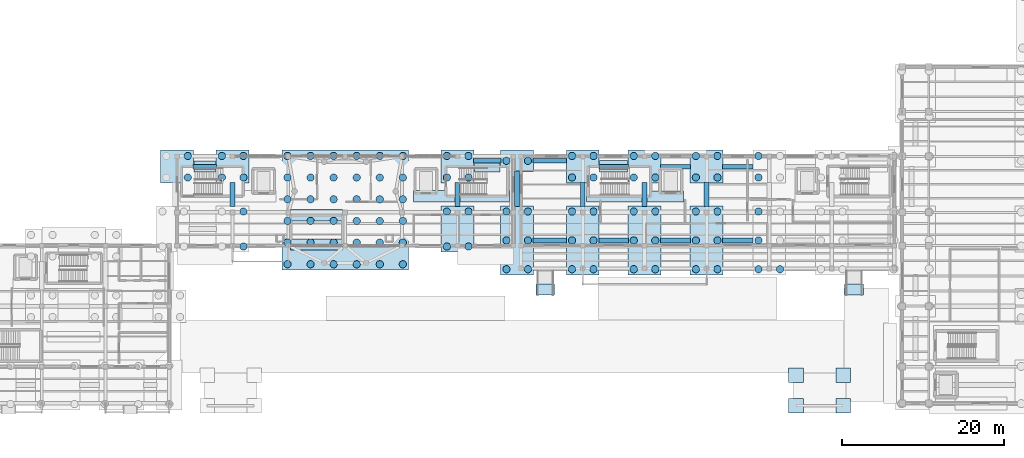
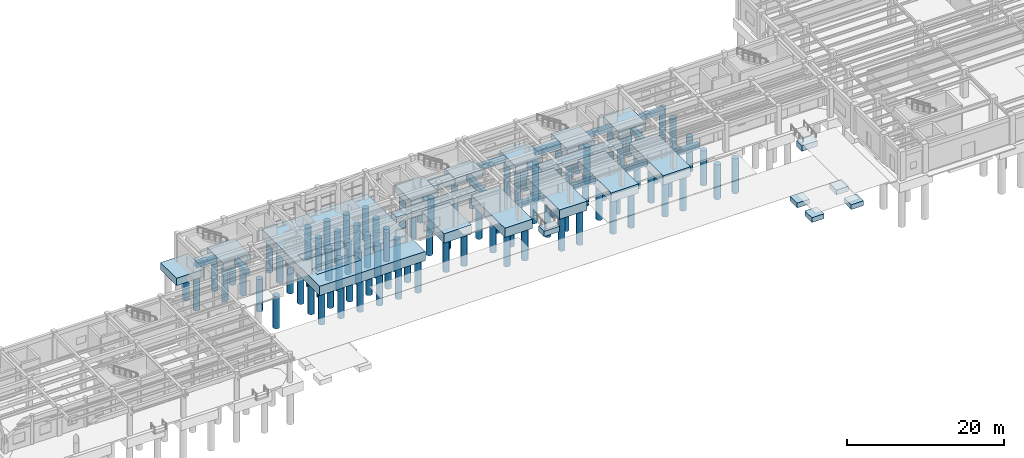
# One storey, part 2 of 41: 96 piles, 42 footings.
"""IFC4 building model written with IfcOpenShell, lengths in metres."""

from ifc_helpers import new_model, si_unit, direction, frame, origin, origin_2d, place, context, subcontext, project, spatial, rectangle, circle, extrude, material, material_profile, profile_set, type_object, element, save


model = new_model("IFC4")

# Units and contexts
model_context = context("Model", 3, precision=1e-05, world=origin(), true_north=direction((0.0, 1.0)))
body_context = subcontext(model_context, "Body", "Model", "MODEL_VIEW")
ifc_project = project(units=[si_unit("LENGTHUNIT", "METRE"), si_unit("AREAUNIT", "SQUARE_METRE"), si_unit("VOLUMEUNIT", "CUBIC_METRE"), si_unit("PLANEANGLEUNIT", "RADIAN"), si_unit("MASSUNIT", "GRAM", prefix="KILO")], contexts=[model_context])

# Site, building, storey
site_placement = place(None, origin())
site = spatial("IfcSite", under=ifc_project, at=site_placement, CompositionType="ELEMENT")
building_placement = place(site_placement, origin())
building = spatial("IfcBuilding", under=site, at=building_placement, Name="Candilejo Ridge Gondola Terminal", CompositionType="ELEMENT")
storey_placement = place(building_placement, origin())
storey = spatial("IfcBuildingStorey", under=building, at=storey_placement, Name="L00", CompositionType="ELEMENT", Elevation=0.0)

# Piles
ifc_material_1 = material(Name="Concrete f'c 28 MPa (C28/35)", Category="concrete")
ifc_material_profile = material_profile(ifc_material_1, circle(Radius=0.449951171875, at=origin_2d()))
ifc_profile_set = profile_set([ifc_material_profile], Name="Concrete f'c 28 MPa (C28/35)")
pile_type = type_object("IfcPileType", Name="STR-BORED-PILE-D900", PredefinedType="BORED", material=ifc_profile_set)
for number, where, z_axis, x_axis, name in (
    (1, (45.97509765625, 34.10009765625, -1.050048828125), (0.0, 0.0, -1.0), (1.0, 0.0, 0.0), "Bored pile L00-073"),
    (2, (45.97509765625, 36.75, -1.050048828125), (0.0, 0.0, -1.0), (1.0, 0.0, 0.0), "Bored pile L00-074"),
):
    element("IfcPile", number, at=place(storey_placement, frame(where, z_axis=z_axis, x_axis=x_axis)), inside=storey, type_object=pile_type, Name=name, PredefinedType="BORED", context=body_context, shape_type="SweptSolid", body=[
        extrude(circle(Radius=0.449951171875, at=origin_2d()), origin(), (0.0, 0.0, 1.0), 5.35009765625),
    ])
for number, where, z_axis, x_axis, name in (
    (3, (52.824951171875, 25.60009765625, -1.35009765625), (0.0, 0.0, -1.0), (1.0, 0.0, 0.0), "Bored pile L00-077"),
    (4, (52.824951171875, 29.89990234375, -1.35009765625), (0.0, 0.0, -1.0), (1.0, 0.0, 0.0), "Bored pile L00-078"),
):
    element("IfcPile", number, at=place(storey_placement, frame(where, z_axis=z_axis, x_axis=x_axis)), inside=storey, type_object=pile_type, Name=name, PredefinedType="BORED", context=body_context, shape_type="SweptSolid", body=[
        extrude(circle(Radius=0.449951171875, at=origin_2d()), origin(), (0.0, 0.0, 1.0), 5.050048828125),
    ])
for number, where, z_axis, x_axis, name in (
    (5, (50.175048828125, 34.10009765625, -1.050048828125), (0.0, 0.0, -1.0), (1.0, 0.0, 0.0), "Bored pile L00-079"),
    (6, (50.175048828125, 36.75, -1.050048828125), (0.0, 0.0, -1.0), (1.0, 0.0, 0.0), "Bored pile L00-080"),
    (7, (52.824951171875, 34.10009765625, -1.050048828125), (0.0, 0.0, -1.0), (1.0, 0.0, 0.0), "Bored pile L00-081"),
    (8, (52.824951171875, 36.75, -1.050048828125), (0.0, 0.0, -1.0), (1.0, 0.0, 0.0), "Bored pile L00-082"),
):
    element("IfcPile", number, at=place(storey_placement, frame(where, z_axis=z_axis, x_axis=x_axis)), inside=storey, type_object=pile_type, Name=name, PredefinedType="BORED", context=body_context, shape_type="SweptSolid", body=[
        extrude(circle(Radius=0.449951171875, at=origin_2d()), origin(), (0.0, 0.0, 1.0), 5.35009765625),
    ])
for number, where, z_axis, x_axis, name in (
    (9, (58.25, 23.409912109375, -1.35009765625), (0.0, 0.0, -1.0), (1.0, 0.0, 0.0), "Bored pile L00-083"),
    (10, (58.25, 26.077880859375, -1.35009765625), (0.0, 0.0, -1.0), (1.0, 0.0, 0.0), "Bored pile L00-084"),
    (11, (58.25, 28.74609375, -1.35009765625), (0.0, 0.0, -1.0), (1.0, 0.0, 0.0), "Bored pile L00-085"),
    (12, (58.25, 31.4140625, -1.35009765625), (0.0, 0.0, -1.0), (1.0, 0.0, 0.0), "Bored pile L00-086"),
    (13, (58.25, 34.08203125, -1.35009765625), (0.0, 0.0, -1.0), (1.0, 0.0, 0.0), "Bored pile L00-087"),
    (14, (58.25, 36.75, -1.35009765625), (0.0, 0.0, -1.0), (1.0, 0.0, 0.0), "Bored pile L00-088"),
    (15, (61.090087890625, 23.409912109375, -1.35009765625), (0.0, 0.0, -1.0), (1.0, 0.0, 0.0), "Bored pile L00-089"),
    (16, (61.090087890625, 26.077880859375, -1.35009765625), (0.0, 0.0, -1.0), (1.0, 0.0, 0.0), "Bored pile L00-090"),
    (17, (61.090087890625, 28.74609375, -1.35009765625), (0.0, 0.0, -1.0), (1.0, 0.0, 0.0), "Bored pile L00-091"),
    (18, (61.090087890625, 31.4140625, -1.35009765625), (0.0, 0.0, -1.0), (1.0, 0.0, 0.0), "Bored pile L00-092"),
    (19, (61.090087890625, 34.08203125, -1.35009765625), (0.0, 0.0, -1.0), (1.0, 0.0, 0.0), "Bored pile L00-093"),
    (20, (61.090087890625, 36.75, -1.35009765625), (0.0, 0.0, -1.0), (1.0, 0.0, 0.0), "Bored pile L00-094"),
    (21, (63.929931640625, 23.409912109375, -1.35009765625), (0.0, 0.0, -1.0), (1.0, 0.0, 0.0), "Bored pile L00-095"),
    (22, (63.929931640625, 26.077880859375, -1.35009765625), (0.0, 0.0, -1.0), (1.0, 0.0, 0.0), "Bored pile L00-096"),
    (23, (63.929931640625, 28.74609375, -1.35009765625), (0.0, 0.0, -1.0), (1.0, 0.0, 0.0), "Bored pile L00-097"),
    (24, (63.929931640625, 31.4140625, -1.35009765625), (0.0, 0.0, -1.0), (1.0, 0.0, 0.0), "Bored pile L00-098"),
    (25, (63.929931640625, 34.08203125, -1.35009765625), (0.0, 0.0, -1.0), (1.0, 0.0, 0.0), "Bored pile L00-099"),
    (26, (63.929931640625, 36.75, -1.35009765625), (0.0, 0.0, -1.0), (1.0, 0.0, 0.0), "Bored pile L00-100"),
    (27, (66.77001953125, 23.409912109375, -1.35009765625), (0.0, 0.0, -1.0), (1.0, 0.0, 0.0), "Bored pile L00-101"),
    (28, (66.77001953125, 26.077880859375, -1.35009765625), (0.0, 0.0, -1.0), (1.0, 0.0, 0.0), "Bored pile L00-102"),
    (29, (66.77001953125, 28.74609375, -1.35009765625), (0.0, 0.0, -1.0), (1.0, 0.0, 0.0), "Bored pile L00-103"),
    (30, (66.77001953125, 31.4140625, -1.35009765625), (0.0, 0.0, -1.0), (1.0, 0.0, 0.0), "Bored pile L00-104"),
    (31, (66.77001953125, 34.08203125, -1.35009765625), (0.0, 0.0, -1.0), (1.0, 0.0, 0.0), "Bored pile L00-105"),
    (32, (66.77001953125, 36.75, -1.35009765625), (0.0, 0.0, -1.0), (1.0, 0.0, 0.0), "Bored pile L00-106"),
    (33, (69.610107421875, 23.409912109375, -1.35009765625), (0.0, 0.0, -1.0), (1.0, 0.0, 0.0), "Bored pile L00-107"),
    (34, (69.610107421875, 26.077880859375, -1.35009765625), (0.0, 0.0, -1.0), (1.0, 0.0, 0.0), "Bored pile L00-108"),
    (35, (69.610107421875, 28.74609375, -1.35009765625), (0.0, 0.0, -1.0), (1.0, 0.0, 0.0), "Bored pile L00-109"),
    (36, (69.610107421875, 31.4140625, -1.35009765625), (0.0, 0.0, -1.0), (1.0, 0.0, 0.0), "Bored pile L00-110"),
    (37, (69.610107421875, 34.08203125, -1.35009765625), (0.0, 0.0, -1.0), (1.0, 0.0, 0.0), "Bored pile L00-111"),
    (38, (69.610107421875, 36.75, -1.35009765625), (0.0, 0.0, -1.0), (1.0, 0.0, 0.0), "Bored pile L00-112"),
    (39, (72.449951171875, 23.409912109375, -1.35009765625), (0.0, 0.0, -1.0), (1.0, 0.0, 0.0), "Bored pile L00-113"),
    (40, (72.449951171875, 26.077880859375, -1.35009765625), (0.0, 0.0, -1.0), (1.0, 0.0, 0.0), "Bored pile L00-114"),
    (41, (72.449951171875, 28.74609375, -1.35009765625), (0.0, 0.0, -1.0), (1.0, 0.0, 0.0), "Bored pile L00-115"),
    (42, (72.449951171875, 31.4140625, -1.35009765625), (0.0, 0.0, -1.0), (1.0, 0.0, 0.0), "Bored pile L00-116"),
    (43, (72.449951171875, 34.08203125, -1.35009765625), (0.0, 0.0, -1.0), (1.0, 0.0, 0.0), "Bored pile L00-117"),
    (44, (72.449951171875, 36.75, -1.35009765625), (0.0, 0.0, -1.0), (1.0, 0.0, 0.0), "Bored pile L00-118"),
    (45, (77.875, 25.60009765625, -1.35009765625), (0.0, 0.0, -1.0), (1.0, 0.0, 0.0), "Bored pile L00-119"),
    (46, (77.875, 29.89990234375, -1.35009765625), (0.0, 0.0, -1.0), (1.0, 0.0, 0.0), "Bored pile L00-120"),
    (47, (80.52490234375, 25.60009765625, -1.35009765625), (0.0, 0.0, -1.0), (1.0, 0.0, 0.0), "Bored pile L00-121"),
    (48, (80.52490234375, 29.89990234375, -1.35009765625), (0.0, 0.0, -1.0), (1.0, 0.0, 0.0), "Bored pile L00-122"),
):
    element("IfcPile", number, at=place(storey_placement, frame(where, z_axis=z_axis, x_axis=x_axis)), inside=storey, type_object=pile_type, Name=name, PredefinedType="BORED", context=body_context, shape_type="SweptSolid", body=[
        extrude(circle(Radius=0.449951171875, at=origin_2d()), origin(), (0.0, 0.0, 1.0), 5.050048828125),
    ])
for number, where, z_axis, x_axis, name in (
    (49, (77.875, 34.10009765625, -1.050048828125), (0.0, 0.0, -1.0), (1.0, 0.0, 0.0), "Bored pile L00-123"),
    (50, (77.875, 36.75, -1.050048828125), (0.0, 0.0, -1.0), (1.0, 0.0, 0.0), "Bored pile L00-124"),
    (51, (80.52490234375, 34.10009765625, -1.050048828125), (0.0, 0.0, -1.0), (1.0, 0.0, 0.0), "Bored pile L00-125"),
    (52, (80.52490234375, 36.75, -1.050048828125), (0.0, 0.0, -1.0), (1.0, 0.0, 0.0), "Bored pile L00-126"),
):
    element("IfcPile", number, at=place(storey_placement, frame(where, z_axis=z_axis, x_axis=x_axis)), inside=storey, type_object=pile_type, Name=name, PredefinedType="BORED", context=body_context, shape_type="SweptSolid", body=[
        extrude(circle(Radius=0.449951171875, at=origin_2d()), origin(), (0.0, 0.0, 1.0), 5.35009765625),
    ])
for number, where, z_axis, x_axis, name in (
    (53, (85.199951171875, 22.800048828125, -1.35009765625), (0.0, 0.0, -1.0), (1.0, 0.0, 0.0), "Bored pile L00-127"),
    (54, (85.199951171875, 26.35009765625, -1.35009765625), (0.0, 0.0, -1.0), (1.0, 0.0, 0.0), "Bored pile L00-128"),
    (55, (85.199951171875, 29.89990234375, -1.35009765625), (0.0, 0.0, -1.0), (1.0, 0.0, 0.0), "Bored pile L00-129"),
    (56, (87.85009765625, 22.800048828125, -1.35009765625), (0.0, 0.0, -1.0), (1.0, 0.0, 0.0), "Bored pile L00-130"),
    (57, (87.85009765625, 26.35009765625, -1.35009765625), (0.0, 0.0, -1.0), (1.0, 0.0, 0.0), "Bored pile L00-131"),
    (58, (87.85009765625, 29.89990234375, -1.35009765625), (0.0, 0.0, -1.0), (1.0, 0.0, 0.0), "Bored pile L00-132"),
):
    element("IfcPile", number, at=place(storey_placement, frame(where, z_axis=z_axis, x_axis=x_axis)), inside=storey, type_object=pile_type, Name=name, PredefinedType="BORED", context=body_context, shape_type="SweptSolid", body=[
        extrude(circle(Radius=0.449951171875, at=origin_2d()), origin(), (0.0, 0.0, 1.0), 5.050048828125),
    ])
for number, where, z_axis, x_axis, name in (
    (59, (85.199951171875, 36.14990234375, -1.050048828125), (0.0, 0.0, -1.0), (1.0, 0.0, 0.0), "Bored pile L00-133"),
    (60, (87.85009765625, 36.14990234375, -1.050048828125), (0.0, 0.0, -1.0), (1.0, 0.0, 0.0), "Bored pile L00-134"),
):
    element("IfcPile", number, at=place(storey_placement, frame(where, z_axis=z_axis, x_axis=x_axis)), inside=storey, type_object=pile_type, Name=name, PredefinedType="BORED", context=body_context, shape_type="SweptSolid", body=[
        extrude(circle(Radius=0.449951171875, at=origin_2d()), origin(), (0.0, 0.0, 1.0), 5.35009765625),
    ])
for number, where, z_axis, x_axis, name in (
    (61, (93.27490234375, 22.800048828125, -1.35009765625), (0.0, 0.0, -1.0), (1.0, 0.0, 0.0), "Bored pile L00-135"),
    (62, (93.27490234375, 26.35009765625, -1.35009765625), (0.0, 0.0, -1.0), (1.0, 0.0, 0.0), "Bored pile L00-136"),
    (63, (93.27490234375, 29.89990234375, -1.35009765625), (0.0, 0.0, -1.0), (1.0, 0.0, 0.0), "Bored pile L00-137"),
    (64, (95.925048828125, 22.800048828125, -1.35009765625), (0.0, 0.0, -1.0), (1.0, 0.0, 0.0), "Bored pile L00-138"),
    (65, (95.925048828125, 26.35009765625, -1.35009765625), (0.0, 0.0, -1.0), (1.0, 0.0, 0.0), "Bored pile L00-139"),
    (66, (95.925048828125, 29.89990234375, -1.35009765625), (0.0, 0.0, -1.0), (1.0, 0.0, 0.0), "Bored pile L00-140"),
):
    element("IfcPile", number, at=place(storey_placement, frame(where, z_axis=z_axis, x_axis=x_axis)), inside=storey, type_object=pile_type, Name=name, PredefinedType="BORED", context=body_context, shape_type="SweptSolid", body=[
        extrude(circle(Radius=0.449951171875, at=origin_2d()), origin(), (0.0, 0.0, 1.0), 5.449951171875),
    ])
for number, where, z_axis, x_axis, name in (
    (67, (93.27490234375, 34.10009765625, -1.050048828125), (0.0, 0.0, -1.0), (1.0, 0.0, 0.0), "Bored pile L00-141"),
    (68, (93.27490234375, 36.75, -1.050048828125), (0.0, 0.0, -1.0), (1.0, 0.0, 0.0), "Bored pile L00-142"),
    (69, (95.925048828125, 34.10009765625, -1.050048828125), (0.0, 0.0, -1.0), (1.0, 0.0, 0.0), "Bored pile L00-143"),
    (70, (95.925048828125, 36.75, -1.050048828125), (0.0, 0.0, -1.0), (1.0, 0.0, 0.0), "Bored pile L00-144"),
):
    element("IfcPile", number, at=place(storey_placement, frame(where, z_axis=z_axis, x_axis=x_axis)), inside=storey, type_object=pile_type, Name=name, PredefinedType="BORED", context=body_context, shape_type="SweptSolid", body=[
        extrude(circle(Radius=0.449951171875, at=origin_2d()), origin(), (0.0, 0.0, 1.0), 5.75),
    ])
for number, where, z_axis, x_axis, name in (
    (71, (100.875, 22.800048828125, -1.35009765625), (0.0, 0.0, -1.0), (1.0, 0.0, 0.0), "Bored pile L00-145"),
    (72, (100.875, 26.35009765625, -1.35009765625), (0.0, 0.0, -1.0), (1.0, 0.0, 0.0), "Bored pile L00-146"),
    (73, (100.875, 29.89990234375, -1.35009765625), (0.0, 0.0, -1.0), (1.0, 0.0, 0.0), "Bored pile L00-147"),
    (74, (103.52490234375, 22.800048828125, -1.35009765625), (0.0, 0.0, -1.0), (1.0, 0.0, 0.0), "Bored pile L00-148"),
    (75, (103.52490234375, 26.35009765625, -1.35009765625), (0.0, 0.0, -1.0), (1.0, 0.0, 0.0), "Bored pile L00-149"),
    (76, (103.52490234375, 29.89990234375, -1.35009765625), (0.0, 0.0, -1.0), (1.0, 0.0, 0.0), "Bored pile L00-150"),
):
    element("IfcPile", number, at=place(storey_placement, frame(where, z_axis=z_axis, x_axis=x_axis)), inside=storey, type_object=pile_type, Name=name, PredefinedType="BORED", context=body_context, shape_type="SweptSolid", body=[
        extrude(circle(Radius=0.449951171875, at=origin_2d()), origin(), (0.0, 0.0, 1.0), 5.449951171875),
    ])
for number, where, z_axis, x_axis, name in (
    (77, (100.875, 34.10009765625, -1.050048828125), (0.0, 0.0, -1.0), (1.0, 0.0, 0.0), "Bored pile L00-151"),
    (78, (100.875, 36.75, -1.050048828125), (0.0, 0.0, -1.0), (1.0, 0.0, 0.0), "Bored pile L00-152"),
    (79, (103.52490234375, 34.10009765625, -1.050048828125), (0.0, 0.0, -1.0), (1.0, 0.0, 0.0), "Bored pile L00-153"),
    (80, (103.52490234375, 36.75, -1.050048828125), (0.0, 0.0, -1.0), (1.0, 0.0, 0.0), "Bored pile L00-154"),
):
    element("IfcPile", number, at=place(storey_placement, frame(where, z_axis=z_axis, x_axis=x_axis)), inside=storey, type_object=pile_type, Name=name, PredefinedType="BORED", context=body_context, shape_type="SweptSolid", body=[
        extrude(circle(Radius=0.449951171875, at=origin_2d()), origin(), (0.0, 0.0, 1.0), 5.75),
    ])
for number, where, z_axis, x_axis, name in (
    (81, (108.52490234375, 22.800048828125, -1.35009765625), (0.0, 0.0, -1.0), (1.0, 0.0, 0.0), "Bored pile L00-155"),
    (82, (108.52490234375, 26.35009765625, -1.35009765625), (0.0, 0.0, -1.0), (1.0, 0.0, 0.0), "Bored pile L00-156"),
    (83, (108.52490234375, 29.89990234375, -1.35009765625), (0.0, 0.0, -1.0), (1.0, 0.0, 0.0), "Bored pile L00-157"),
    (84, (111.175048828125, 22.800048828125, -1.35009765625), (0.0, 0.0, -1.0), (1.0, 0.0, 0.0), "Bored pile L00-158"),
    (85, (111.175048828125, 26.35009765625, -1.35009765625), (0.0, 0.0, -1.0), (1.0, 0.0, 0.0), "Bored pile L00-159"),
    (86, (111.175048828125, 29.89990234375, -1.35009765625), (0.0, 0.0, -1.0), (1.0, 0.0, 0.0), "Bored pile L00-160"),
):
    element("IfcPile", number, at=place(storey_placement, frame(where, z_axis=z_axis, x_axis=x_axis)), inside=storey, type_object=pile_type, Name=name, PredefinedType="BORED", context=body_context, shape_type="SweptSolid", body=[
        extrude(circle(Radius=0.449951171875, at=origin_2d()), origin(), (0.0, 0.0, 1.0), 5.449951171875),
    ])
for number, where, z_axis, x_axis, name in (
    (87, (108.52490234375, 34.10009765625, -1.050048828125), (0.0, 0.0, -1.0), (1.0, 0.0, 0.0), "Bored pile L00-161"),
    (88, (108.52490234375, 36.75, -1.050048828125), (0.0, 0.0, -1.0), (1.0, 0.0, 0.0), "Bored pile L00-162"),
    (89, (111.175048828125, 34.10009765625, -1.050048828125), (0.0, 0.0, -1.0), (1.0, 0.0, 0.0), "Bored pile L00-163"),
    (90, (111.175048828125, 36.75, -1.050048828125), (0.0, 0.0, -1.0), (1.0, 0.0, 0.0), "Bored pile L00-164"),
):
    element("IfcPile", number, at=place(storey_placement, frame(where, z_axis=z_axis, x_axis=x_axis)), inside=storey, type_object=pile_type, Name=name, PredefinedType="BORED", context=body_context, shape_type="SweptSolid", body=[
        extrude(circle(Radius=0.449951171875, at=origin_2d()), origin(), (0.0, 0.0, 1.0), 5.75),
    ])
for number, where, z_axis, x_axis, name in (
    (91, (116.22509765625, 22.800048828125, -1.35009765625), (0.0, 0.0, -1.0), (1.0, 0.0, 0.0), "Bored pile L00-165"),
    (92, (116.22509765625, 26.35009765625, -1.35009765625), (0.0, 0.0, -1.0), (1.0, 0.0, 0.0), "Bored pile L00-166"),
    (93, (116.22509765625, 29.89990234375, -1.35009765625), (0.0, 0.0, -1.0), (1.0, 0.0, 0.0), "Bored pile L00-167"),
    (94, (118.875, 22.800048828125, -1.35009765625), (0.0, 0.0, -1.0), (1.0, 0.0, 0.0), "Bored pile L00-168"),
):
    element("IfcPile", number, at=place(storey_placement, frame(where, z_axis=z_axis, x_axis=x_axis)), inside=storey, type_object=pile_type, Name=name, PredefinedType="BORED", context=body_context, shape_type="SweptSolid", body=[
        extrude(circle(Radius=0.449951171875, at=origin_2d()), origin(), (0.0, 0.0, 1.0), 5.449951171875),
    ])
for number, where, z_axis, x_axis, name in (
    (95, (116.22509765625, 34.10009765625, -1.050048828125), (0.0, 0.0, -1.0), (1.0, 0.0, 0.0), "Bored pile L00-171"),
    (96, (116.22509765625, 36.75, -1.050048828125), (0.0, 0.0, -1.0), (1.0, 0.0, 0.0), "Bored pile L00-172"),
):
    element("IfcPile", number, at=place(storey_placement, frame(where, z_axis=z_axis, x_axis=x_axis)), inside=storey, type_object=pile_type, Name=name, PredefinedType="BORED", context=body_context, shape_type="SweptSolid", body=[
        extrude(circle(Radius=0.449951171875, at=origin_2d()), origin(), (0.0, 0.0, 1.0), 5.75),
    ])

# Footings
ifc_material_2 = material(Name="Concrete f'c 35 MPa (C35/45)", Category="concrete")
footing_type_1 = type_object("IfcFootingType", Name="STR-FOOTING-BEAM-600X800", PredefinedType="FOOTING_BEAM", material=ifc_material_2)
footing_1_placement = place(storey_placement, frame((90.5625, 26.35009765625, -0.85009765625), z_axis=(0.0, 0.0, 1.0), x_axis=(1.0, 0.0, 0.0)))
element("IfcFooting", 97, at=footing_1_placement, inside=storey, type_object=footing_type_1, Name="Foundation tie beam X L00-021", PredefinedType="FOOTING_BEAM", context=body_context, shape_type="SweptSolid", body=[
    extrude(rectangle(XDim=4.125, YDim=0.60009765625, at=origin_2d()), origin(), (0.0, 0.0, 1.0), 0.800048828125),
])
footing_2_placement = place(storey_placement, frame((98.39990234375, 26.35009765625, -0.85009765625), z_axis=(0.0, 0.0, 1.0), x_axis=(1.0, 0.0, 0.0)))
element("IfcFooting", 98, at=footing_2_placement, inside=storey, type_object=footing_type_1, Name="Foundation tie beam X L00-022", PredefinedType="FOOTING_BEAM", context=body_context, shape_type="SweptSolid", body=[
    extrude(rectangle(XDim=3.64990234375, YDim=0.60009765625, at=origin_2d()), origin(), (0.0, 0.0, 1.0), 0.800048828125),
])
footing_3_placement = place(storey_placement, frame((106.02490234375, 26.35009765625, -0.85009765625), z_axis=(0.0, 0.0, 1.0), x_axis=(1.0, 0.0, 0.0)))
element("IfcFooting", 99, at=footing_3_placement, inside=storey, type_object=footing_type_1, Name="Foundation tie beam X L00-023", PredefinedType="FOOTING_BEAM", context=body_context, shape_type="SweptSolid", body=[
    extrude(rectangle(XDim=3.699951171875, YDim=0.60009765625, at=origin_2d()), origin(), (0.0, 0.0, 1.0), 0.800048828125),
])
footing_4_placement = place(storey_placement, frame((113.699951171875, 26.35009765625, -0.85009765625), z_axis=(0.0, 0.0, 1.0), x_axis=(1.0, 0.0, 0.0)))
element("IfcFooting", 100, at=footing_4_placement, inside=storey, type_object=footing_type_1, Name="Foundation tie beam X L00-024", PredefinedType="FOOTING_BEAM", context=body_context, shape_type="SweptSolid", body=[
    extrude(rectangle(XDim=3.75, YDim=0.60009765625, at=origin_2d()), origin(), (0.0, 0.0, 1.0), 0.800048828125),
])
footing_5_placement = place(storey_placement, frame((48.074951171875, 35.425048828125, -0.85009765625), z_axis=(0.0, 0.0, 1.0), x_axis=(1.0, 0.0, 0.0)))
element("IfcFooting", 101, at=footing_5_placement, inside=storey, type_object=footing_type_1, Name="Foundation tie beam X L00-030", PredefinedType="FOOTING_BEAM", context=body_context, shape_type="SweptSolid", body=[
    extrude(rectangle(XDim=2.89990234375, YDim=0.60009765625, at=origin_2d()), origin(), (0.0, 0.0, 1.0), 0.800048828125),
])
footing_6_placement = place(storey_placement, frame((82.862548828125, 36.14990234375, -0.85009765625), z_axis=(0.0, 0.0, 1.0), x_axis=(1.0, 0.0, 0.0)))
element("IfcFooting", 102, at=footing_6_placement, inside=storey, type_object=footing_type_1, Name="Foundation tie beam X L00-031", PredefinedType="FOOTING_BEAM", context=body_context, shape_type="SweptSolid", body=[
    extrude(rectangle(XDim=3.375, YDim=0.60009765625, at=origin_2d()), origin(), (0.0, 0.0, 1.0), 0.800048828125),
])
footing_7_placement = place(storey_placement, frame((90.5625, 36.14990234375, -0.85009765625), z_axis=(0.0, 0.0, 1.0), x_axis=(1.0, 0.0, 0.0)))
element("IfcFooting", 103, at=footing_7_placement, inside=storey, type_object=footing_type_1, Name="Foundation tie beam X L00-032", PredefinedType="FOOTING_BEAM", context=body_context, shape_type="SweptSolid", body=[
    extrude(rectangle(XDim=4.125, YDim=0.60009765625, at=origin_2d()), origin(), (0.0, 0.0, 1.0), 0.800048828125),
])
footing_8_placement = place(storey_placement, frame((98.39990234375, 35.425048828125, -0.85009765625), z_axis=(0.0, 0.0, 1.0), x_axis=(1.0, 0.0, 0.0)))
element("IfcFooting", 104, at=footing_8_placement, inside=storey, type_object=footing_type_1, Name="Foundation tie beam X L00-033", PredefinedType="FOOTING_BEAM", context=body_context, shape_type="SweptSolid", body=[
    extrude(rectangle(XDim=3.64990234375, YDim=0.60009765625, at=origin_2d()), origin(), (0.0, 0.0, 1.0), 0.800048828125),
])
footing_9_placement = place(storey_placement, frame((106.02490234375, 35.425048828125, -0.85009765625), z_axis=(0.0, 0.0, 1.0), x_axis=(1.0, 0.0, 0.0)))
element("IfcFooting", 105, at=footing_9_placement, inside=storey, type_object=footing_type_1, Name="Foundation tie beam X L00-034", PredefinedType="FOOTING_BEAM", context=body_context, shape_type="SweptSolid", body=[
    extrude(rectangle(XDim=3.699951171875, YDim=0.60009765625, at=origin_2d()), origin(), (0.0, 0.0, 1.0), 0.800048828125),
])
footing_10_placement = place(storey_placement, frame((113.699951171875, 35.425048828125, -0.85009765625), z_axis=(0.0, 0.0, 1.0), x_axis=(1.0, 0.0, 0.0)))
element("IfcFooting", 106, at=footing_10_placement, inside=storey, type_object=footing_type_1, Name="Foundation tie beam X L00-035", PredefinedType="FOOTING_BEAM", context=body_context, shape_type="SweptSolid", body=[
    extrude(rectangle(XDim=3.75, YDim=0.60009765625, at=origin_2d()), origin(), (0.0, 0.0, 1.0), 0.800048828125),
])
for number, where, z_axis, x_axis, name in (
    (107, (51.5, 32.0, -0.85009765625), (0.0, 0.0, 1.0), (1.0, 0.0, 0.0), "Foundation tie beam Y L00-049"),
    (108, (79.199951171875, 32.0, -0.85009765625), (0.0, 0.0, 1.0), (1.0, 0.0, 0.0), "Foundation tie beam Y L00-050"),
):
    element("IfcFooting", number, at=place(storey_placement, frame(where, z_axis=z_axis, x_axis=x_axis)), inside=storey, type_object=footing_type_1, Name=name, PredefinedType="FOOTING_BEAM", context=body_context, shape_type="SweptSolid", body=[
        extrude(rectangle(XDim=0.60009765625, YDim=2.89990234375, at=origin_2d()), origin(), (0.0, 0.0, 1.0), 0.800048828125),
    ])
footing_11_placement = place(storey_placement, frame((86.52490234375, 32.72509765625, -0.85009765625), z_axis=(0.0, 0.0, 1.0), x_axis=(1.0, 0.0, 0.0)))
element("IfcFooting", 109, at=footing_11_placement, inside=storey, type_object=footing_type_1, Name="Foundation tie beam Y L00-051", PredefinedType="FOOTING_BEAM", context=body_context, shape_type="SweptSolid", body=[
    extrude(rectangle(XDim=0.60009765625, YDim=4.35009765625, at=origin_2d()), origin(), (0.0, 0.0, 1.0), 0.800048828125),
])
for number, where, z_axis, x_axis, name in (
    (110, (94.60009765625, 32.0, -0.85009765625), (0.0, 0.0, 1.0), (1.0, 0.0, 0.0), "Foundation tie beam Y L00-052"),
    (111, (102.199951171875, 32.0, -0.85009765625), (0.0, 0.0, 1.0), (1.0, 0.0, 0.0), "Foundation tie beam Y L00-053"),
    (112, (109.85009765625, 32.0, -0.85009765625), (0.0, 0.0, 1.0), (1.0, 0.0, 0.0), "Foundation tie beam Y L00-054"),
):
    element("IfcFooting", number, at=place(storey_placement, frame(where, z_axis=z_axis, x_axis=x_axis)), inside=storey, type_object=footing_type_1, Name=name, PredefinedType="FOOTING_BEAM", context=body_context, shape_type="SweptSolid", body=[
        extrude(rectangle(XDim=0.60009765625, YDim=2.89990234375, at=origin_2d()), origin(), (0.0, 0.0, 1.0), 0.800048828125),
    ])
ifc_material_3 = material(Name="Concrete f'c 35 MPa (C35/45)", Category="concrete")
footing_type_2 = type_object("IfcFootingType", Name="STR-PAD-FOOTING-1800X1800X750", PredefinedType="PAD_FOOTING", material=ifc_material_3)
for number, where, z_axis, x_axis, name in (
    (113, (120.85009765625, 6.0, -1.22998046875), (0.0, 0.0, 1.0), (1.0, 0.0, 0.0), "Walkway support pad footing SE-TAB-01"),
    (114, (126.64990234375, 6.0, -1.22998046875), (0.0, 0.0, 1.0), (1.0, 0.0, 0.0), "Walkway support pad footing SE-TAB-02"),
    (115, (120.85009765625, 9.75, -1.22998046875), (0.0, 0.0, 1.0), (1.0, 0.0, 0.0), "Walkway support pad footing SE-TAB-03"),
    (116, (126.64990234375, 9.75, -1.22998046875), (0.0, 0.0, 1.0), (1.0, 0.0, 0.0), "Walkway support pad footing SE-TAB-04"),
):
    element("IfcFooting", number, at=place(storey_placement, frame(where, z_axis=z_axis, x_axis=x_axis)), inside=storey, type_object=footing_type_2, Name=name, PredefinedType="PAD_FOOTING", context=body_context, shape_type="SweptSolid", body=[
        extrude(rectangle(XDim=1.800048828125, YDim=1.800048828125, at=origin_2d()), origin(), (0.0, 0.0, 1.0), 0.75),
    ])
ifc_material_4 = material(Name="Concrete f'c 35 MPa (C35/45)", Category="concrete")
footing_type_3 = type_object("IfcFootingType", Name="STR-PILE-CAP-B00-1560X1474X145", PredefinedType="PILE_CAP", material=ifc_material_4)
footing_12_placement = place(storey_placement, frame((65.35009765625, 30.080078125, -1.4501953125), z_axis=(0.0, 0.0, 1.0), x_axis=(1.0, 0.0, 0.0)))
element("IfcFooting", 117, at=footing_12_placement, inside=storey, type_object=footing_type_3, Name="Pile cap CAP-B00-022", PredefinedType="PILE_CAP", context=body_context, shape_type="SweptSolid", body=[
    extrude(rectangle(XDim=15.60009765625, YDim=14.739990234375, at=origin_2d()), origin(), (0.0, 0.0, 1.0), 1.449951171875),
])
ifc_material_5 = material(Name="Concrete f'c 35 MPa (C35/45)", Category="concrete")
footing_type_4 = type_object("IfcFootingType", Name="STR-PILE-CAP-B00-405X260X115", PredefinedType="PILE_CAP", material=ifc_material_5)
footing_13_placement = place(storey_placement, frame((86.52490234375, 36.14990234375, -1.14990234375), z_axis=(0.0, 0.0, 1.0), x_axis=(1.0, 0.0, 0.0)))
element("IfcFooting", 118, at=footing_13_placement, inside=storey, type_object=footing_type_4, Name="Pile cap CAP-B00-026", PredefinedType="PILE_CAP", context=body_context, shape_type="SweptSolid", body=[
    extrude(rectangle(XDim=4.050048828125, YDim=2.60009765625, at=origin_2d()), origin(), (0.0, 0.0, 1.0), 1.14990234375),
])
ifc_material_6 = material(Name="Concrete f'c 35 MPa (C35/45)", Category="concrete")
footing_type_5 = type_object("IfcFootingType", Name="STR-PILE-CAP-B00-405X405X115", PredefinedType="PILE_CAP", material=ifc_material_6)
for number, where, z_axis, x_axis, name in (
    (119, (44.64990234375, 35.425048828125, -1.14990234375), (0.0, 0.0, 1.0), (1.0, 0.0, 0.0), "Pile cap CAP-B00-019"),
    (120, (51.5, 35.425048828125, -1.14990234375), (0.0, 0.0, 1.0), (1.0, 0.0, 0.0), "Pile cap CAP-B00-021"),
    (121, (79.199951171875, 35.425048828125, -1.14990234375), (0.0, 0.0, 1.0), (1.0, 0.0, 0.0), "Pile cap CAP-B00-024"),
    (122, (94.60009765625, 35.425048828125, -1.14990234375), (0.0, 0.0, 1.0), (1.0, 0.0, 0.0), "Pile cap CAP-B00-028"),
    (123, (102.199951171875, 35.425048828125, -1.14990234375), (0.0, 0.0, 1.0), (1.0, 0.0, 0.0), "Pile cap CAP-B00-030"),
    (124, (109.85009765625, 35.425048828125, -1.14990234375), (0.0, 0.0, 1.0), (1.0, 0.0, 0.0), "Pile cap CAP-B00-032"),
):
    element("IfcFooting", number, at=place(storey_placement, frame(where, z_axis=z_axis, x_axis=x_axis)), inside=storey, type_object=footing_type_5, Name=name, PredefinedType="PILE_CAP", context=body_context, shape_type="SweptSolid", body=[
        extrude(rectangle(XDim=4.050048828125, YDim=4.050048828125, at=origin_2d()), origin(), (0.0, 0.0, 1.0), 1.14990234375),
    ])
ifc_material_7 = material(Name="Concrete f'c 35 MPa (C35/45)", Category="concrete")
footing_type_6 = type_object("IfcFootingType", Name="STR-PILE-CAP-B00-405X570X145", PredefinedType="PILE_CAP", material=ifc_material_7)
footing_14_placement = place(storey_placement, frame((79.199951171875, 27.75, -1.4501953125), z_axis=(0.0, 0.0, 1.0), x_axis=(1.0, 0.0, 0.0)))
element("IfcFooting", 125, at=footing_14_placement, inside=storey, type_object=footing_type_6, Name="Pile cap CAP-B00-023", PredefinedType="PILE_CAP", context=body_context, shape_type="SweptSolid", body=[
    extrude(rectangle(XDim=4.050048828125, YDim=5.699951171875, at=origin_2d()), origin(), (0.0, 0.0, 1.0), 1.449951171875),
])
ifc_material_8 = material(Name="Concrete f'c 35 MPa (C35/45)", Category="concrete")
footing_type_7 = type_object("IfcFootingType", Name="STR-PILE-CAP-B00-405X850X145", PredefinedType="PILE_CAP", material=ifc_material_8)
for number, where, z_axis, x_axis, name in (
    (126, (86.52490234375, 26.35009765625, -1.4501953125), (0.0, 0.0, 1.0), (1.0, 0.0, 0.0), "Pile cap CAP-B00-025"),
    (127, (94.60009765625, 26.35009765625, -1.4501953125), (0.0, 0.0, 1.0), (1.0, 0.0, 0.0), "Pile cap CAP-B00-027"),
    (128, (102.199951171875, 26.35009765625, -1.4501953125), (0.0, 0.0, 1.0), (1.0, 0.0, 0.0), "Pile cap CAP-B00-029"),
    (129, (109.85009765625, 26.35009765625, -1.4501953125), (0.0, 0.0, 1.0), (1.0, 0.0, 0.0), "Pile cap CAP-B00-031"),
):
    element("IfcFooting", number, at=place(storey_placement, frame(where, z_axis=z_axis, x_axis=x_axis)), inside=storey, type_object=footing_type_7, Name=name, PredefinedType="PILE_CAP", context=body_context, shape_type="SweptSolid", body=[
        extrude(rectangle(XDim=4.050048828125, YDim=8.5, at=origin_2d()), origin(), (0.0, 0.0, 1.0), 1.449951171875),
    ])
ifc_material_9 = material(Name="Concrete f'c 35 MPa (C35/45)", Category="concrete")
footing_type_8 = type_object("IfcFootingType", Name="STR-STRIP-FOOTING-1400X850", PredefinedType="STRIP_FOOTING", material=ifc_material_9)
footing_15_placement = place(storey_placement, frame((48.074951171875, 35.449951171875, -0.85009765625), z_axis=(0.0, 0.0, 1.0), x_axis=(1.0, 0.0, 0.0)))
element("IfcFooting", 130, at=footing_15_placement, inside=storey, type_object=footing_type_8, Name="Core strip footing L00-006", PredefinedType="STRIP_FOOTING", context=body_context, shape_type="SweptSolid", body=[
    extrude(rectangle(XDim=2.679931640625, YDim=1.39990234375, at=origin_2d()), origin(), (0.0, 0.0, 1.0), 0.85009765625),
])
footing_16_placement = place(storey_placement, frame((79.64990234375, 31.800048828125, -0.85009765625), z_axis=(0.0, 0.0, 1.0), x_axis=(1.0, 0.0, 0.0)))
element("IfcFooting", 131, at=footing_16_placement, inside=storey, type_object=footing_type_8, Name="Core strip footing L00-007", PredefinedType="STRIP_FOOTING", context=body_context, shape_type="SweptSolid", body=[
    extrude(rectangle(XDim=11.800048828125, YDim=1.39990234375, at=origin_2d()), origin(), (0.0, 0.0, 1.0), 0.85009765625),
])
footing_17_placement = place(storey_placement, frame((82.862548828125, 35.449951171875, -0.85009765625), z_axis=(0.0, 0.0, 1.0), x_axis=(1.0, 0.0, 0.0)))
element("IfcFooting", 132, at=footing_17_placement, inside=storey, type_object=footing_type_8, Name="Core strip footing L00-008", PredefinedType="STRIP_FOOTING", context=body_context, shape_type="SweptSolid", body=[
    extrude(rectangle(XDim=3.155029296875, YDim=1.39990234375, at=origin_2d()), origin(), (0.0, 0.0, 1.0), 0.85009765625),
])
footing_18_placement = place(storey_placement, frame((101.02490234375, 31.75, -0.85009765625), z_axis=(0.0, 0.0, 1.0), x_axis=(1.0, 0.0, 0.0)))
element("IfcFooting", 133, at=footing_18_placement, inside=storey, type_object=footing_type_8, Name="Core strip footing L00-009", PredefinedType="STRIP_FOOTING", context=body_context, shape_type="SweptSolid", body=[
    extrude(rectangle(XDim=11.949951171875, YDim=1.39990234375, at=origin_2d()), origin(), (0.0, 0.0, 1.0), 0.85009765625),
])
footing_19_placement = place(storey_placement, frame((98.39990234375, 35.5, -0.85009765625), z_axis=(0.0, 0.0, 1.0), x_axis=(1.0, 0.0, 0.0)))
element("IfcFooting", 134, at=footing_19_placement, inside=storey, type_object=footing_type_8, Name="Core strip footing L00-010", PredefinedType="STRIP_FOOTING", context=body_context, shape_type="SweptSolid", body=[
    extrude(rectangle(XDim=3.429931640625, YDim=1.39990234375, at=origin_2d()), origin(), (0.0, 0.0, 1.0), 0.85009765625),
])
for number, where, z_axis, x_axis, name in (
    (135, (90.0, 20.300048828125, -1.330078125), (0.0, 0.0, 1.0), (1.0, 0.0, 0.0), "Ramp toe footing RM-04"),
    (136, (128.0, 20.300048828125, -1.330078125), (0.0, 0.0, 1.0), (1.0, 0.0, 0.0), "Ramp toe footing RM-05"),
):
    element("IfcFooting", number, at=place(storey_placement, frame(where, z_axis=z_axis, x_axis=x_axis)), inside=storey, type_object=footing_type_8, Name=name, PredefinedType="STRIP_FOOTING", context=body_context, shape_type="SweptSolid", body=[
        extrude(rectangle(XDim=2.300048828125, YDim=1.39990234375, at=origin_2d()), origin(), (0.0, 0.0, 1.0), 0.85009765625),
    ])
for number, where, z_axis, x_axis, name in (
    (137, (61.85009765625, 25.85009765625, -0.85009765625), (0.0, 0.0, 1.0), (1.0, 0.0, 0.0), "Public stair footing ST-P02-S"),
    (138, (61.85009765625, 29.449951171875, -0.85009765625), (0.0, 0.0, 1.0), (1.0, 0.0, 0.0), "Public stair footing ST-P02-N"),
):
    element("IfcFooting", number, at=place(storey_placement, frame(where, z_axis=z_axis, x_axis=x_axis)), inside=storey, type_object=footing_type_8, Name=name, PredefinedType="STRIP_FOOTING", context=body_context, shape_type="SweptSolid", body=[
        extrude(rectangle(XDim=6.39990234375, YDim=1.39990234375, at=origin_2d()), origin(), (0.0, 0.0, 1.0), 0.85009765625),
    ])

save(model, "model.ifc")
